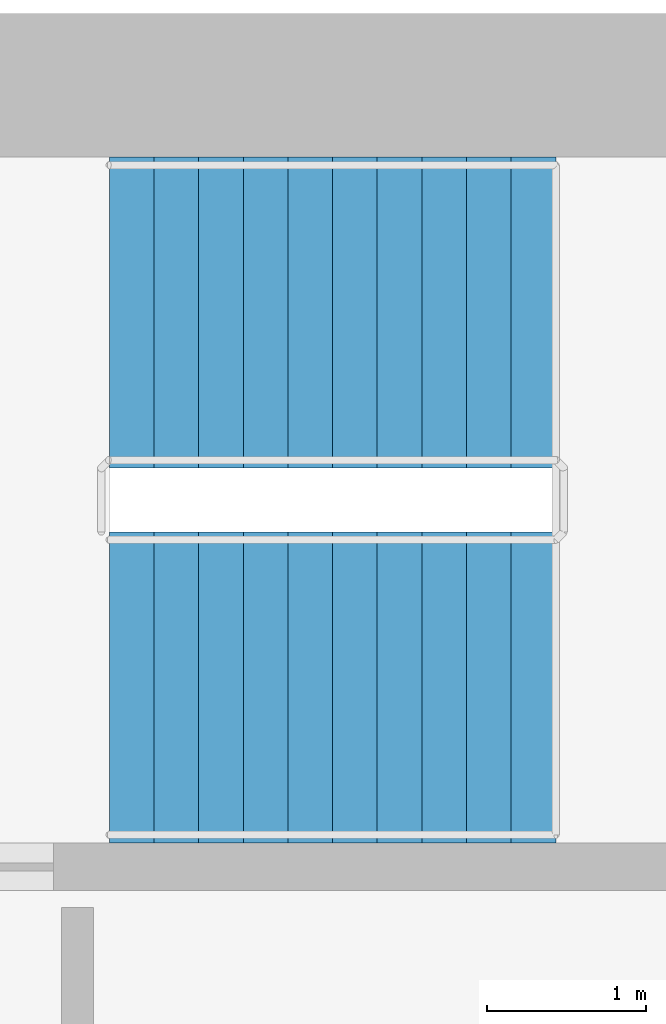
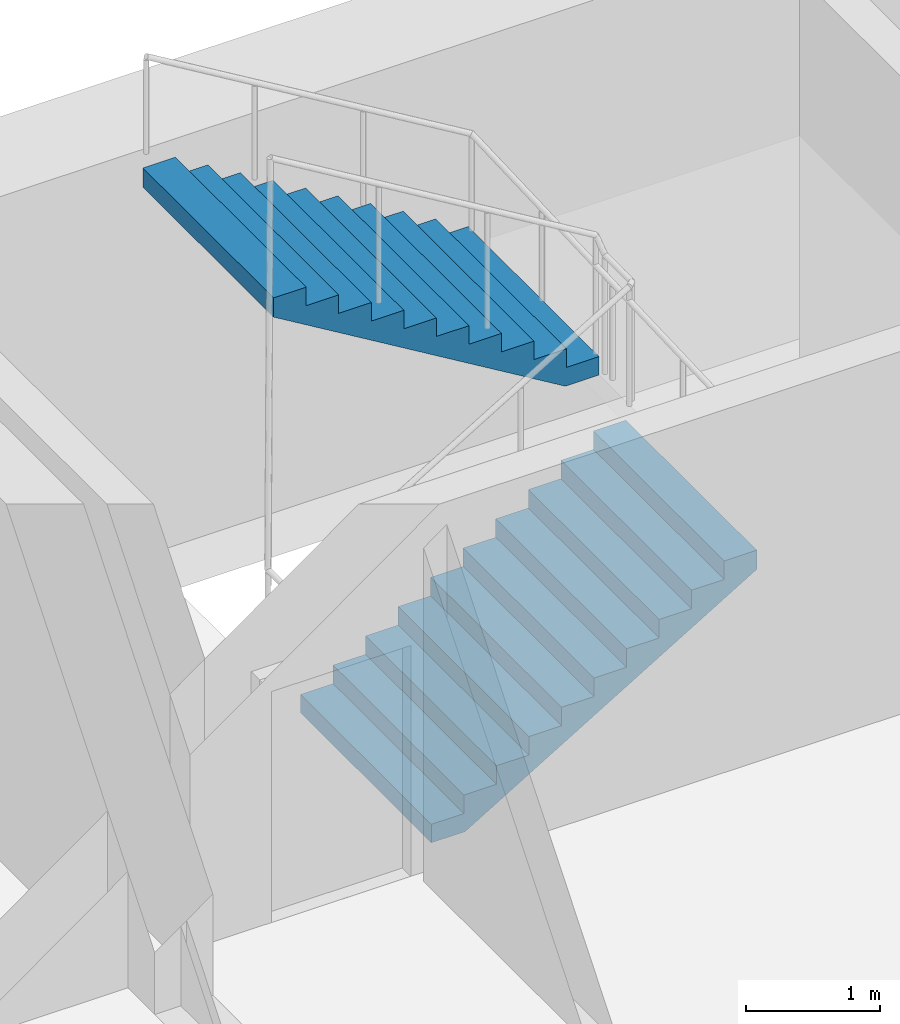
# One storey, part 13 of 17: 2 stair flights, 1 element without a shape of its own.
"""IFC4 building model written with IfcOpenShell, lengths in metres."""

from ifc_helpers import new_model, si_unit, direction, frame, origin, place, context, subcontext, project, spatial, polyline, outline, extrude, material, type_object, element, aggregate, save


model = new_model("IFC4")

# Units and contexts
model_context = context("Model", 3, precision=1e-05, world=origin(), true_north=direction((0.0, 1.0)))
body_context = subcontext(model_context, "Body", "Model", "MODEL_VIEW")
ifc_project = project(units=[si_unit("LENGTHUNIT", "METRE"), si_unit("AREAUNIT", "SQUARE_METRE"), si_unit("VOLUMEUNIT", "CUBIC_METRE"), si_unit("PLANEANGLEUNIT", "RADIAN"), si_unit("MASSUNIT", "GRAM", prefix="KILO")], contexts=[model_context])

# Site, building, storey
site_placement = place(None, origin())
site = spatial("IfcSite", under=ifc_project, at=site_placement, CompositionType="ELEMENT")
building_placement = place(site_placement, origin())
building = spatial("IfcBuilding", under=site, at=building_placement, Name="Hunhe Ridgeline Campus", CompositionType="ELEMENT")
storey_placement = place(building_placement, frame((0.0, 0.0, 201.300048828125)))
storey = spatial("IfcBuildingStorey", under=building, at=storey_placement, Name="L51", CompositionType="ELEMENT", Elevation=201.300048828125)

# Stair, stair flights
ifc_material = material(Name="Concrete C40", Category="concrete")
stair_type = type_object("IfcStairType", Name="Reinforced concrete dog-leg stair 1950 Concrete C40", PredefinedType="HALF_TURN_STAIR", material=ifc_material)
stair_placement = place(storey_placement, origin())
stair = element("IfcStair", 1, at=stair_placement, inside=storey, type_object=stair_type, Name="L51 E1", PredefinedType="HALF_TURN_STAIR")
stair_flight_type = type_object("IfcStairFlightType", Name="Reinforced concrete stair flight 1950 Concrete C40", PredefinedType="STRAIGHT", material=ifc_material)
stair_flight_1_placement = place(storey_placement, frame((38.39990234375, 94.77490234375, 0.0), z_axis=(0.0, 0.0, 1.0), x_axis=(1.0, 0.0, 0.0)))
stair_flight_1 = element("IfcStairFlight", 2, at=stair_flight_1_placement, type_object=stair_flight_type, Name="ST5 flight 1", NumberOfRisers=11, NumberOfTreads=10, PredefinedType="STRAIGHT", RiserHeight=0.168181818, TreadLength=0.28, context=body_context, shape_type="SweptSolid", body=[
    extrude(outline(polyline([(0.0, 0.0), (0.0, 0.168212890625), (0.280029296875, 0.168212890625), (0.280029296875, 0.33642578125), (0.56005859375, 0.33642578125), (0.56005859375, 0.504638671875), (0.840087890625, 0.504638671875), (0.840087890625, 0.672607421875), (1.1201171875, 0.672607421875), (1.1201171875, 0.8408203125), (1.39990234375, 0.8408203125), (1.39990234375, 1.009033203125), (1.679931640625, 1.009033203125), (1.679931640625, 1.17724609375), (1.9599609375, 1.17724609375), (1.9599609375, 1.345458984375), (2.239990234375, 1.345458984375), (2.239990234375, 1.513671875), (2.52001953125, 1.513671875), (2.52001953125, 1.681884765625), (2.800048828125, 1.681884765625), (2.800048828125, 1.85009765625), (2.800048828125, 1.5068359375), (0.291015625, 0.0), (0.0, 0.0)])), frame((0.0, 0.97509765625, 0.0), z_axis=(0.0, -1.0, 0.0), x_axis=(1.0, 0.0, 0.0)), (0.0, 0.0, 1.0), 1.949951171875),
    extrude(outline(polyline([(0.030029296875, 0.030029296875), (0.030029296875, 0.13818359375), (0.31005859375, 0.13818359375), (0.31005859375, 0.306396484375), (0.590087890625, 0.306396484375), (0.590087890625, 0.474609375), (0.8701171875, 0.474609375), (0.8701171875, 0.642578125), (1.14990234375, 0.642578125), (1.14990234375, 0.810791015625), (1.429931640625, 0.810791015625), (1.429931640625, 0.97900390625), (1.7099609375, 0.97900390625), (1.7099609375, 1.147216796875), (1.989990234375, 1.147216796875), (1.989990234375, 1.3154296875), (2.27001953125, 1.3154296875), (2.27001953125, 1.483642578125), (2.550048828125, 1.483642578125), (2.550048828125, 1.65185546875), (2.77001953125, 1.65185546875), (2.77001953125, 1.52392578125), (0.28271484375, 0.030029296875), (0.030029296875, 0.030029296875)])), frame((0.0, -0.070068359375, 0.0), z_axis=(0.0, -1.0, 0.0), x_axis=(1.0, 0.0, 0.0)), (0.0, 0.0, 1.0), 0.019775390625),
    extrude(outline(polyline([(0.030029296875, 0.030029296875), (0.030029296875, 0.13818359375), (0.31005859375, 0.13818359375), (0.31005859375, 0.306396484375), (0.590087890625, 0.306396484375), (0.590087890625, 0.474609375), (0.8701171875, 0.474609375), (0.8701171875, 0.642578125), (1.14990234375, 0.642578125), (1.14990234375, 0.810791015625), (1.429931640625, 0.810791015625), (1.429931640625, 0.97900390625), (1.7099609375, 0.97900390625), (1.7099609375, 1.147216796875), (1.989990234375, 1.147216796875), (1.989990234375, 1.3154296875), (2.27001953125, 1.3154296875), (2.27001953125, 1.483642578125), (2.550048828125, 1.483642578125), (2.550048828125, 1.65185546875), (2.77001953125, 1.65185546875), (2.77001953125, 1.52392578125), (0.28271484375, 0.030029296875), (0.030029296875, 0.030029296875)])), frame((0.0, 0.010009765625, 0.0), z_axis=(0.0, -1.0, 0.0), x_axis=(1.0, 0.0, 0.0)), (0.0, 0.0, 1.0), 0.019775390625),
    extrude(outline(polyline([(0.030029296875, 0.030029296875), (0.030029296875, 0.13818359375), (0.31005859375, 0.13818359375), (0.31005859375, 0.306396484375), (0.590087890625, 0.306396484375), (0.590087890625, 0.474609375), (0.8701171875, 0.474609375), (0.8701171875, 0.642578125), (1.14990234375, 0.642578125), (1.14990234375, 0.810791015625), (1.429931640625, 0.810791015625), (1.429931640625, 0.97900390625), (1.7099609375, 0.97900390625), (1.7099609375, 1.147216796875), (1.989990234375, 1.147216796875), (1.989990234375, 1.3154296875), (2.27001953125, 1.3154296875), (2.27001953125, 1.483642578125), (2.550048828125, 1.483642578125), (2.550048828125, 1.65185546875), (2.77001953125, 1.65185546875), (2.77001953125, 1.52392578125), (0.28271484375, 0.030029296875), (0.030029296875, 0.030029296875)])), frame((0.0, 0.090087890625, 0.0), z_axis=(0.0, -1.0, 0.0), x_axis=(1.0, 0.0, 0.0)), (0.0, 0.0, 1.0), 0.019775390625),
])
stair_flight_2_placement = place(storey_placement, frame((41.199951171875, 97.125, 1.849853515625), z_axis=(0.0, 0.0, 1.0), x_axis=(-1.0, 0.0, 0.0)))
stair_flight_2 = element("IfcStairFlight", 3, at=stair_flight_2_placement, type_object=stair_flight_type, Name="ST5 flight 2", NumberOfRisers=11, NumberOfTreads=10, PredefinedType="STRAIGHT", RiserHeight=0.168181818, TreadLength=0.28, context=body_context, shape_type="SweptSolid", body=[
    extrude(outline(polyline([(0.0, 0.0), (0.0, 0.168212890625), (0.280029296875, 0.168212890625), (0.280029296875, 0.33642578125), (0.56005859375, 0.33642578125), (0.56005859375, 0.504638671875), (0.840087890625, 0.504638671875), (0.840087890625, 0.672607421875), (1.1201171875, 0.672607421875), (1.1201171875, 0.8408203125), (1.39990234375, 0.8408203125), (1.39990234375, 1.009033203125), (1.679931640625, 1.009033203125), (1.679931640625, 1.17724609375), (1.9599609375, 1.17724609375), (1.9599609375, 1.345458984375), (2.239990234375, 1.345458984375), (2.239990234375, 1.513671875), (2.52001953125, 1.513671875), (2.52001953125, 1.681884765625), (2.800048828125, 1.681884765625), (2.800048828125, 1.85009765625), (2.800048828125, 1.5068359375), (0.291015625, 0.0), (0.0, 0.0)])), frame((0.0, 0.97509765625, 0.0), z_axis=(0.0, -1.0, 0.0), x_axis=(1.0, 0.0, 0.0)), (0.0, 0.0, 1.0), 1.949951171875),
    extrude(outline(polyline([(0.030029296875, 0.030029296875), (0.030029296875, 0.13818359375), (0.31005859375, 0.13818359375), (0.31005859375, 0.306396484375), (0.590087890625, 0.306396484375), (0.590087890625, 0.474609375), (0.8701171875, 0.474609375), (0.8701171875, 0.642578125), (1.14990234375, 0.642578125), (1.14990234375, 0.810791015625), (1.429931640625, 0.810791015625), (1.429931640625, 0.97900390625), (1.7099609375, 0.97900390625), (1.7099609375, 1.147216796875), (1.989990234375, 1.147216796875), (1.989990234375, 1.3154296875), (2.27001953125, 1.3154296875), (2.27001953125, 1.483642578125), (2.550048828125, 1.483642578125), (2.550048828125, 1.65185546875), (2.77001953125, 1.65185546875), (2.77001953125, 1.52392578125), (0.28271484375, 0.030029296875), (0.030029296875, 0.030029296875)])), frame((0.0, -0.070068359375, 0.0), z_axis=(0.0, -1.0, 0.0), x_axis=(1.0, 0.0, 0.0)), (0.0, 0.0, 1.0), 0.019775390625),
    extrude(outline(polyline([(0.030029296875, 0.030029296875), (0.030029296875, 0.13818359375), (0.31005859375, 0.13818359375), (0.31005859375, 0.306396484375), (0.590087890625, 0.306396484375), (0.590087890625, 0.474609375), (0.8701171875, 0.474609375), (0.8701171875, 0.642578125), (1.14990234375, 0.642578125), (1.14990234375, 0.810791015625), (1.429931640625, 0.810791015625), (1.429931640625, 0.97900390625), (1.7099609375, 0.97900390625), (1.7099609375, 1.147216796875), (1.989990234375, 1.147216796875), (1.989990234375, 1.3154296875), (2.27001953125, 1.3154296875), (2.27001953125, 1.483642578125), (2.550048828125, 1.483642578125), (2.550048828125, 1.65185546875), (2.77001953125, 1.65185546875), (2.77001953125, 1.52392578125), (0.28271484375, 0.030029296875), (0.030029296875, 0.030029296875)])), frame((0.0, 0.010009765625, 0.0), z_axis=(0.0, -1.0, 0.0), x_axis=(1.0, 0.0, 0.0)), (0.0, 0.0, 1.0), 0.019775390625),
    extrude(outline(polyline([(0.030029296875, 0.030029296875), (0.030029296875, 0.13818359375), (0.31005859375, 0.13818359375), (0.31005859375, 0.306396484375), (0.590087890625, 0.306396484375), (0.590087890625, 0.474609375), (0.8701171875, 0.474609375), (0.8701171875, 0.642578125), (1.14990234375, 0.642578125), (1.14990234375, 0.810791015625), (1.429931640625, 0.810791015625), (1.429931640625, 0.97900390625), (1.7099609375, 0.97900390625), (1.7099609375, 1.147216796875), (1.989990234375, 1.147216796875), (1.989990234375, 1.3154296875), (2.27001953125, 1.3154296875), (2.27001953125, 1.483642578125), (2.550048828125, 1.483642578125), (2.550048828125, 1.65185546875), (2.77001953125, 1.65185546875), (2.77001953125, 1.52392578125), (0.28271484375, 0.030029296875), (0.030029296875, 0.030029296875)])), frame((0.0, 0.090087890625, 0.0), z_axis=(0.0, -1.0, 0.0), x_axis=(1.0, 0.0, 0.0)), (0.0, 0.0, 1.0), 0.019775390625),
])
aggregate(stair, [stair_flight_1, stair_flight_2])

save(model, "model.ifc")
